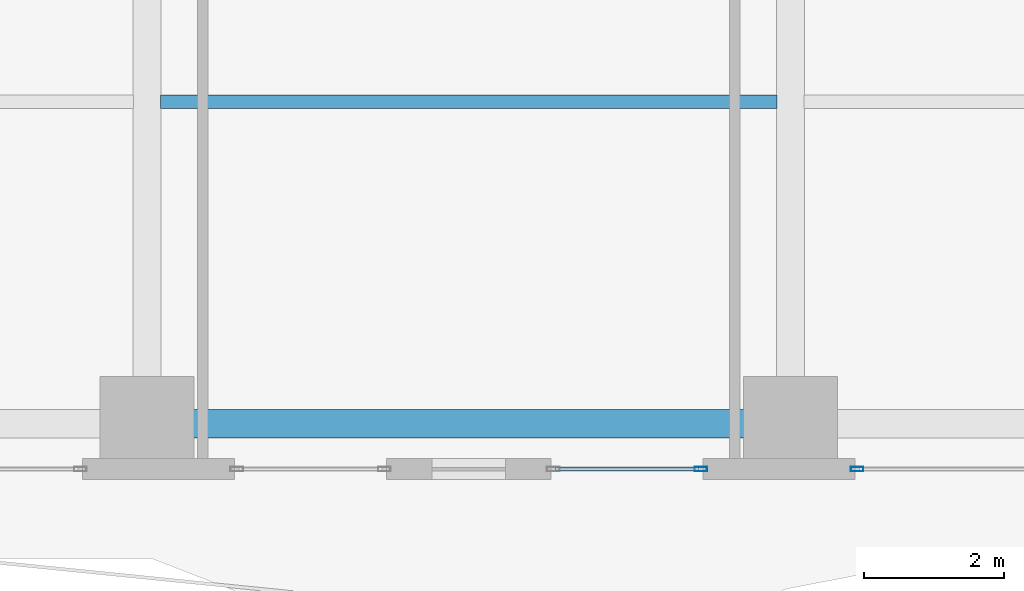
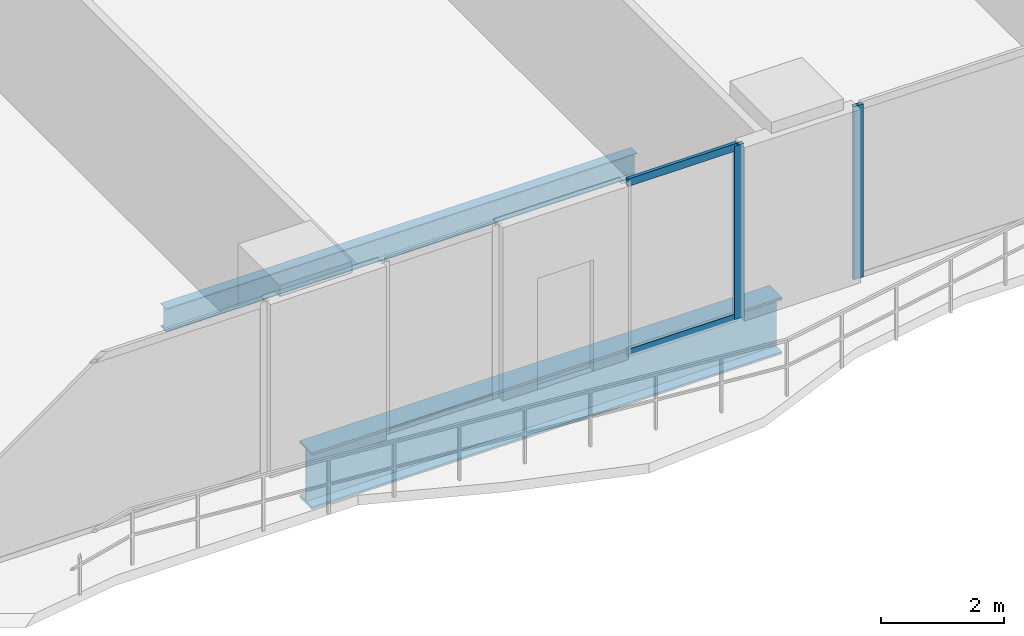
# One storey, part 5 of 29: 4 members, 2 beams, 2 elements without a shape of their own.
"""IFC4 building model written with IfcOpenShell, lengths in metres."""

from ifc_helpers import new_model, si_unit, direction, frame, origin, origin_2d, place, context, subcontext, project, spatial, hollow_rectangle, i_section, extrude, material, layer, layer_set, material_profile, profile_set, type_object, element, aggregate, save


model = new_model("IFC4")

# Units and contexts
model_context = context("Model", 3, precision=1e-05, world=origin(), true_north=direction((0.0, 1.0)))
body_context = subcontext(model_context, "Body", "Model", "MODEL_VIEW")
ifc_project = project(units=[si_unit("LENGTHUNIT", "METRE"), si_unit("AREAUNIT", "SQUARE_METRE"), si_unit("VOLUMEUNIT", "CUBIC_METRE"), si_unit("PLANEANGLEUNIT", "RADIAN"), si_unit("MASSUNIT", "GRAM", prefix="KILO")], contexts=[model_context])

# Site, building, storey
site_placement = place(None, origin())
site = spatial("IfcSite", under=ifc_project, at=site_placement, CompositionType="ELEMENT")
building_placement = place(site_placement, origin())
building = spatial("IfcBuilding", under=site, at=building_placement, Name="Zuhayl Quay Hotel", CompositionType="ELEMENT")
storey_placement = place(building_placement, frame((0.0, 0.0, 95.64990234375)))
storey = spatial("IfcBuildingStorey", under=building, at=storey_placement, Name="L23", CompositionType="ELEMENT", Elevation=95.64990234375)

# Beams
ifc_material_1 = material(Name="Steel ASTM A992 Grade 50", Category="steel")
ifc_material_profile_1 = material_profile(ifc_material_1, i_section(OverallWidth=0.18994140625, OverallDepth=0.45703125, WebThickness=0.009033203125, FlangeThickness=0.014404296875, at=origin_2d()), Name="W18X50")
ifc_profile_set_1 = profile_set([ifc_material_profile_1], Name="Steel ASTM A992 Grade 50")
beam_type_1 = type_object("IfcBeamType", Name="BM_J2_W18X50", PredefinedType="JOIST", material=ifc_profile_set_1)
beam_1_placement = place(storey_placement, frame((-4.406005859375, -10.14990234375, -0.48828125), z_axis=(1.0, 0.0, 0.0), x_axis=(0.0, 1.0, 0.0)))
element("IfcBeam", 1, at=beam_1_placement, inside=storey, type_object=beam_type_1, Name="L23 Floor Beam FJ_L23_5_2", PredefinedType="JOIST", context=body_context, shape_type="SweptSolid", body=[
    extrude(i_section(OverallWidth=0.18994140625, OverallDepth=0.45703125, WebThickness=0.009033203125, FlangeThickness=0.014404296875, at=origin_2d()), origin(), (0.0, 0.0, 1.0), 8.81201171875),
])
ifc_material_2 = material(Name="Steel ASTM A913 Grade 65", Category="steel")
ifc_material_profile_2 = material_profile(ifc_material_2, i_section(OverallWidth=0.404052734375, OverallDepth=1.117919921875, WebThickness=0.026123046875, FlangeThickness=0.044921875, at=origin_2d()), Name="W44X335")
ifc_profile_set_2 = profile_set([ifc_material_profile_2], Name="Steel ASTM A913 Grade 65")
beam_type_2 = type_object("IfcBeamType", Name="BM_TG1_W44X335", PredefinedType="BEAM", material=ifc_profile_set_2)
beam_2_placement = place(storey_placement, frame((-4.39990234375, -14.75, -0.81884765625), z_axis=(1.0, 0.0, 0.0), x_axis=(0.0, 1.0, 0.0)))
element("IfcBeam", 2, at=beam_2_placement, inside=storey, type_object=beam_type_2, Name="L23 Floor Beam RG_L23_02", PredefinedType="BEAM", context=body_context, shape_type="SweptSolid", body=[
    extrude(i_section(OverallWidth=0.404052734375, OverallDepth=1.117919921875, WebThickness=0.026123046875, FlangeThickness=0.044921875, at=origin_2d()), origin(), (0.0, 0.0, 1.0), 8.7998046875),
])

# Curtain wall, member
ifc_material_3 = material(Name="Anodised Aluminium 6063-T6", Category="aluminium")
ifc_layer = layer(ifc_material_3, 0.179931640625, Name="Anodised Aluminium 6063-T6", Category="aluminium")
ifc_layer_set = layer_set([ifc_layer], Name="Anodised Aluminium 6063-T6")
curtain_wall_type = type_object("IfcCurtainWallType", Name="CW_SYS_Z2", PredefinedType="USERDEFINED", material=ifc_layer_set)
curtain_wall_1_placement = place(storey_placement, origin())
curtain_wall_1 = element("IfcCurtainWall", 3, at=curtain_wall_1_placement, inside=storey, type_object=curtain_wall_type, Name="L23 Curtain Wall ENV_L23_S_CW2", ObjectType="UNITISED CURTAIN WALL", PredefinedType="USERDEFINED")
ifc_material_4 = material(Name="Black-anodised aluminium 6063-T6", Category="aluminium")
ifc_material_profile_3 = material_profile(ifc_material_4, hollow_rectangle(XDim=0.06494140625, YDim=0.179931640625, WallThickness=0.00341796875, at=origin_2d()), Name="ALU180X65")
ifc_profile_set_3 = profile_set([ifc_material_profile_3], Name="Black-anodised aluminium 6063-T6")
member_type_1 = type_object("IfcMemberType", Name="MB_CW_MUL_180", PredefinedType="MULLION", material=ifc_profile_set_3)
member_1_placement = place(storey_placement, frame((5.552490234375, -15.39990234375, 0.0), z_axis=(0.0, 0.0, 1.0), x_axis=(0.0, -1.0, 0.0)))
member_1 = element("IfcMember", 4, at=member_1_placement, type_object=member_type_1, Name="CW-Z2 mullion 2", PredefinedType="MULLION", context=body_context, shape_type="SweptSolid", body=[
    extrude(hollow_rectangle(XDim=0.06494140625, YDim=0.179931640625, WallThickness=0.00341796875, at=origin_2d()), origin(), (0.0, 0.0, 1.0), 3.43017578125),
])
aggregate(curtain_wall_1, [member_1])

# Curtain wall, members
curtain_wall_2_placement = place(storey_placement, origin())
curtain_wall_2 = element("IfcCurtainWall", 5, at=curtain_wall_2_placement, inside=storey, type_object=curtain_wall_type, Name="L23 Curtain Wall ENV_L23_S_CW3", ObjectType="UNITISED CURTAIN WALL", PredefinedType="USERDEFINED")
member_2_placement = place(storey_placement, frame((3.3173828125, -15.39990234375, 0.0), z_axis=(0.0, 0.0, 1.0), x_axis=(0.0, -1.0, 0.0)))
member_2 = element("IfcMember", 6, at=member_2_placement, type_object=member_type_1, Name="CW-Z2 mullion 1", PredefinedType="MULLION", context=body_context, shape_type="SweptSolid", body=[
    extrude(hollow_rectangle(XDim=0.06494140625, YDim=0.179931640625, WallThickness=0.00341796875, at=origin_2d()), origin(), (0.0, 0.0, 1.0), 3.43017578125),
])
ifc_material_profile_4 = material_profile(ifc_material_4, hollow_rectangle(XDim=0.06005859375, YDim=0.14990234375, WallThickness=0.00341796875, at=origin_2d()), Name="ALU150X60")
ifc_profile_set_4 = profile_set([ifc_material_profile_4], Name="Black-anodised aluminium 6063-T6")
member_type_2 = type_object("IfcMemberType", Name="MB_CW_TRN_150", PredefinedType="USERDEFINED", material=ifc_profile_set_4)
member_3_placement = place(storey_placement, frame((3.284912109375, -15.39990234375, 0.030029296875), z_axis=(-1.0, 0.0, 0.0), x_axis=(0.0, -1.0, 0.0)))
member_3 = element("IfcMember", 7, at=member_3_placement, type_object=member_type_2, Name="CW-Z2 transom 1.1", ObjectType="TRANSOM", PredefinedType="USERDEFINED", context=body_context, shape_type="SweptSolid", body=[
    extrude(hollow_rectangle(XDim=0.06005859375, YDim=0.14990234375, WallThickness=0.00341796875, at=origin_2d()), origin(), (0.0, 0.0, 1.0), 2.044921875),
])
member_4_placement = place(storey_placement, frame((3.284912109375, -15.39990234375, 3.400146484375), z_axis=(-1.0, 0.0, 0.0), x_axis=(0.0, -1.0, 0.0)))
member_4 = element("IfcMember", 8, at=member_4_placement, type_object=member_type_2, Name="CW-Z2 transom 1.2", ObjectType="TRANSOM", PredefinedType="USERDEFINED", context=body_context, shape_type="SweptSolid", body=[
    extrude(hollow_rectangle(XDim=0.06005859375, YDim=0.14990234375, WallThickness=0.00341796875, at=origin_2d()), origin(), (0.0, 0.0, 1.0), 2.044921875),
])
aggregate(curtain_wall_2, [member_2, member_3, member_4])

save(model, "model.ifc")
